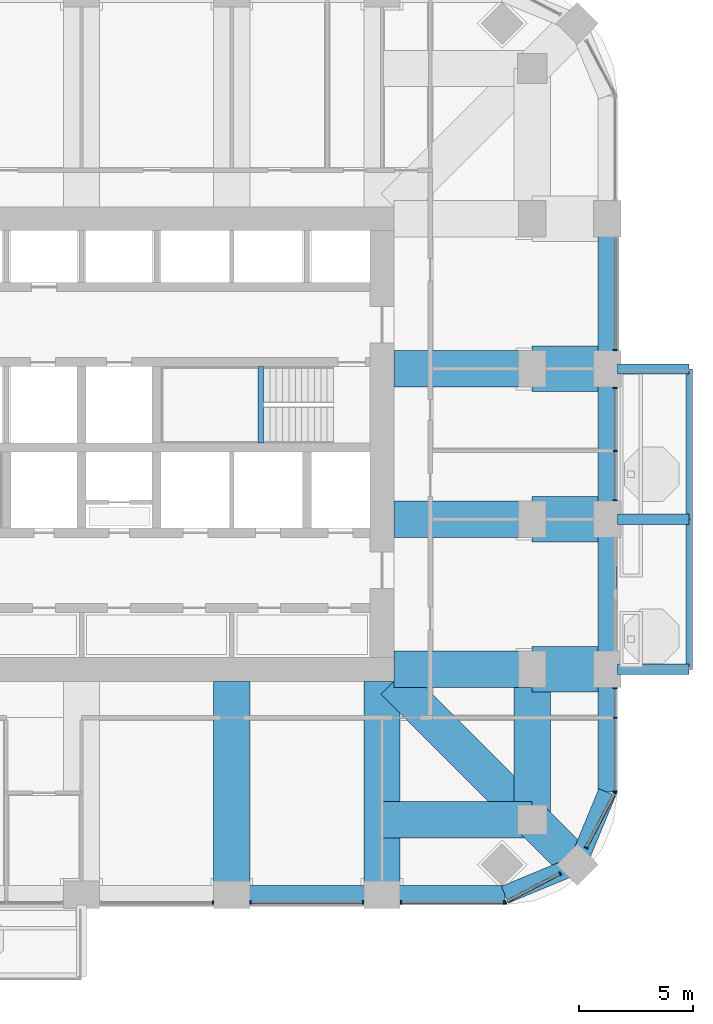
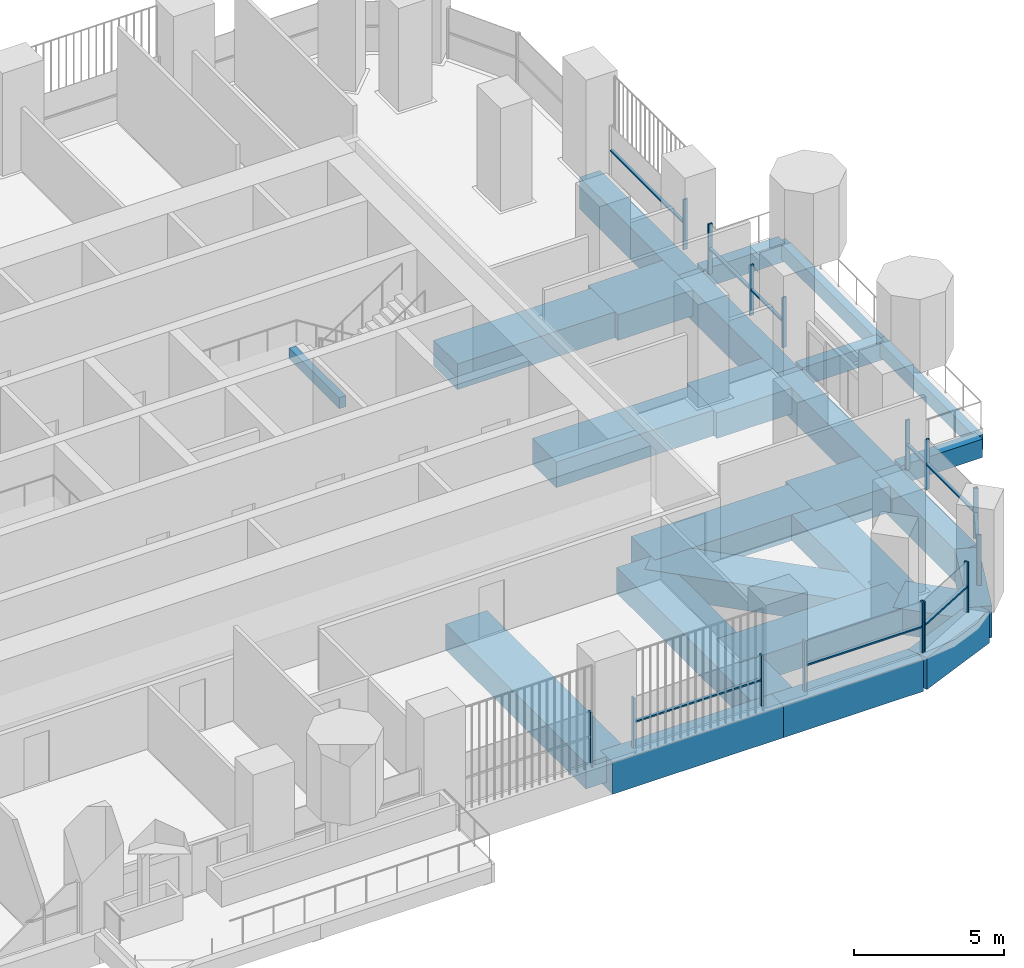
# One storey, part 5 of 20: 26 beams, 25 members, 8 elements without a shape of their own.
"""IFC4 building model written with IfcOpenShell, lengths in metres."""

from ifc_helpers import new_model, si_unit, direction, frame, origin, origin_2d, place, context, subcontext, project, spatial, rectangle, extrude, material, material_profile, profile_set, type_object, element, aggregate, save


model = new_model("IFC4")

# Units and contexts
model_context = context("Model", 3, precision=1e-05, world=origin(), true_north=direction((0.0, 1.0)))
body_context = subcontext(model_context, "Body", "Model", "MODEL_VIEW")
ifc_project = project(units=[si_unit("LENGTHUNIT", "METRE"), si_unit("AREAUNIT", "SQUARE_METRE"), si_unit("VOLUMEUNIT", "CUBIC_METRE"), si_unit("PLANEANGLEUNIT", "RADIAN"), si_unit("MASSUNIT", "GRAM", prefix="KILO")], contexts=[model_context])

# Site, building, storey
site_placement = place(None, origin())
site = spatial("IfcSite", under=ifc_project, at=site_placement, CompositionType="ELEMENT")
building_placement = place(site_placement, origin())
building = spatial("IfcBuilding", under=site, at=building_placement, Name="Cobogo Forest Laboratory Tower", CompositionType="ELEMENT")
storey_placement = place(building_placement, frame((0.0, 0.0, 218.699951171875)))
storey = spatial("IfcBuildingStorey", under=building, at=storey_placement, Name="L50", CompositionType="ELEMENT", Elevation=218.699951171875)

# Beams
ifc_material_1 = material(Name="Concrete HA-40 (C40/50)", Category="concrete")
ifc_material_profile_1 = material_profile(ifc_material_1, rectangle(XDim=0.449951171875, YDim=0.75, at=origin_2d()), Name="RC 450x750")
ifc_profile_set_1 = profile_set([ifc_material_profile_1], Name="Concrete HA-40 (C40/50)")
beam_type_1 = type_object("IfcBeamType", Name="Balcony cantilever beam 450x750", PredefinedType="BEAM", material=ifc_profile_set_1)
for number, where, z_axis, x_axis, name in (
    (1, (49.949951171875, 13.199951171875, -0.625), (1.0, 0.0, 0.0), (0.0, 1.0, 0.0), "CB1 BAL-E1-C1 L50"),
    (2, (49.949951171875, 19.800048828125, -0.625), (1.0, 0.0, 0.0), (0.0, 1.0, 0.0), "CB1 BAL-E1-C2 L50"),
    (3, (49.949951171875, 26.39990234375, -0.625), (1.0, 0.0, 0.0), (0.0, 1.0, 0.0), "CB1 BAL-E1-C3 L50"),
):
    element("IfcBeam", number, at=place(storey_placement, frame(where, z_axis=z_axis, x_axis=x_axis)), inside=storey, type_object=beam_type_1, Name=name, PredefinedType="BEAM", context=body_context, shape_type="SweptSolid", body=[
        extrude(rectangle(XDim=0.449951171875, YDim=0.75, at=origin_2d()), origin(), (0.0, 0.0, 1.0), 3.150146484375),
    ])
ifc_material_profile_2 = material_profile(ifc_material_1, rectangle(XDim=0.300048828125, YDim=0.60009765625, at=origin_2d()), Name="RC 300x600")
ifc_profile_set_2 = profile_set([ifc_material_profile_2], Name="Concrete HA-40 (C40/50)")
beam_type_2 = type_object("IfcBeamType", Name="Balcony edge beam 300x600", PredefinedType="BEAM", material=ifc_profile_set_2)
beam_1_placement = place(storey_placement, frame((53.10009765625, 13.199951171875, -0.550048828125), z_axis=(0.0, 1.0, 0.0), x_axis=(-1.0, 0.0, 0.0)))
element("IfcBeam", 4, at=beam_1_placement, inside=storey, type_object=beam_type_2, Name="BB1 BAL-E1-T1 L50", PredefinedType="BEAM", context=body_context, shape_type="SweptSolid", body=[
    extrude(rectangle(XDim=0.300048828125, YDim=0.60009765625, at=origin_2d()), origin(), (0.0, 0.0, 1.0), 6.60009765625),
])
beam_2_placement = place(storey_placement, frame((53.10009765625, 19.800048828125, -0.550048828125), z_axis=(0.0, 1.0, 0.0), x_axis=(-1.0, 0.0, 0.0)))
element("IfcBeam", 5, at=beam_2_placement, inside=storey, type_object=beam_type_2, Name="BB1 BAL-E1-T2 L50", PredefinedType="BEAM", context=body_context, shape_type="SweptSolid", body=[
    extrude(rectangle(XDim=0.300048828125, YDim=0.60009765625, at=origin_2d()), origin(), (0.0, 0.0, 1.0), 6.599853515625),
])
ifc_material_2 = material(Name="Concrete HA-50 (C50/60)", Category="concrete")
ifc_material_profile_3 = material_profile(ifc_material_2, rectangle(XDim=2.0, YDim=1.050048828125, at=origin_2d()), Name="RC 2000x1050")
ifc_profile_set_3 = profile_set([ifc_material_profile_3], Name="Concrete HA-50 (C50/60)")
beam_type_3 = type_object("IfcBeamType", Name="End-bay wide beam 2000x1050", PredefinedType="BEAM", material=ifc_profile_set_3)
for number, where, z_axis, x_axis, name in (
    (6, (49.5, 13.199951171875, -0.824951171875), (-1.0, 0.0, 0.0), (0.0, -1.0, 0.0), "RB7 R-C-E-X L50"),
    (7, (49.5, 19.800048828125, -0.824951171875), (-1.0, 0.0, 0.0), (0.0, -1.0, 0.0), "RB7 R-D-E-X L50"),
    (8, (49.5, 26.39990234375, -0.824951171875), (-1.0, 0.0, 0.0), (0.0, -1.0, 0.0), "RB7 R-E-E-X L50"),
):
    element("IfcBeam", number, at=place(storey_placement, frame(where, z_axis=z_axis, x_axis=x_axis)), inside=storey, type_object=beam_type_3, Name=name, PredefinedType="BEAM", context=body_context, shape_type="SweptSolid", body=[
        extrude(rectangle(XDim=2.0, YDim=1.050048828125, at=origin_2d()), origin(), (0.0, 0.0, 1.0), 3.300048828125),
    ])
ifc_material_profile_4 = material_profile(ifc_material_1, rectangle(XDim=0.25, YDim=0.449951171875, at=origin_2d()), Name="RC 250x450")
ifc_profile_set_4 = profile_set([ifc_material_profile_4], Name="Concrete HA-40 (C40/50)")
beam_type_4 = type_object("IfcBeamType", Name="LB1 landing beam 250x450", PredefinedType="BEAM", material=ifc_profile_set_4)
beam_3_placement = place(storey_placement, frame((34.27001953125, 23.14990234375, 1.675048828125), z_axis=(0.0, 1.0, 0.0), x_axis=(-1.0, 0.0, 0.0)))
element("IfcBeam", 9, at=beam_3_placement, inside=storey, type_object=beam_type_4, Name="Landing beam ST2 L50", PredefinedType="BEAM", context=body_context, shape_type="SweptSolid", body=[
    extrude(rectangle(XDim=0.25, YDim=0.449951171875, at=origin_2d()), origin(), (0.0, 0.0, 1.0), 3.35009765625),
])
ifc_material_profile_5 = material_profile(ifc_material_2, rectangle(XDim=1.60009765625, YDim=1.050048828125, at=origin_2d()), Name="RC 1600x1050")
ifc_profile_set_5 = profile_set([ifc_material_profile_5], Name="Concrete HA-50 (C50/60)")
beam_type_5 = type_object("IfcBeamType", Name="Laboratory floor wide beam 1600x1050", PredefinedType="BEAM", material=ifc_profile_set_5)
for number, where, z_axis, x_axis, name in (
    (10, (33.0, 12.675048828125, -0.824951171875), (0.0, -1.0, 0.0), (1.0, 0.0, 0.0), "RB8 R-6-S L50"),
    (11, (39.60009765625, 12.675048828125, -0.824951171875), (0.0, -1.0, 0.0), (1.0, 0.0, 0.0), "RB8 R-7-S L50"),
):
    element("IfcBeam", number, at=place(storey_placement, frame(where, z_axis=z_axis, x_axis=x_axis)), inside=storey, type_object=beam_type_5, Name=name, PredefinedType="BEAM", context=body_context, shape_type="SweptSolid", body=[
        extrude(rectangle(XDim=1.60009765625, YDim=1.050048828125, at=origin_2d()), origin(), (0.0, 0.0, 1.0), 9.375),
    ])
for number, where, z_axis, x_axis, name in (
    (12, (40.125, 13.199951171875, -0.824951171875), (1.0, 0.0, 0.0), (0.0, 1.0, 0.0), "RB8 R-C-E L50"),
    (13, (40.125, 19.800048828125, -0.824951171875), (1.0, 0.0, 0.0), (0.0, 1.0, 0.0), "RB8 R-D-E L50"),
    (14, (40.125, 26.39990234375, -0.824951171875), (1.0, 0.0, 0.0), (0.0, 1.0, 0.0), "RB8 R-E-E L50"),
):
    element("IfcBeam", number, at=place(storey_placement, frame(where, z_axis=z_axis, x_axis=x_axis)), inside=storey, type_object=beam_type_5, Name=name, PredefinedType="BEAM", context=body_context, shape_type="SweptSolid", body=[
        extrude(rectangle(XDim=1.60009765625, YDim=1.050048828125, at=origin_2d()), origin(), (0.0, 0.0, 1.0), 6.074951171875),
    ])
for number, where, z_axis, x_axis, name in (
    (15, (46.199951171875, 6.60009765625, -0.824951171875), (0.0, 1.0, 0.0), (-1.0, 0.0, 0.0), "RB8 G-SE-XC L50"),
    (16, (46.199951171875, 6.60009765625, -0.824951171875), (-1.0, 0.0, 0.0), (0.0, -1.0, 0.0), "RB8 G-SE-YC L50"),
):
    element("IfcBeam", number, at=place(storey_placement, frame(where, z_axis=z_axis, x_axis=x_axis)), inside=storey, type_object=beam_type_5, Name=name, PredefinedType="BEAM", context=body_context, shape_type="SweptSolid", body=[
        extrude(rectangle(XDim=1.60009765625, YDim=1.050048828125, at=origin_2d()), origin(), (0.0, 0.0, 1.0), 6.599853515625),
    ])
beam_4_placement = place(storey_placement, frame((48.181884765625, 4.617919921875, -0.824951171875), z_axis=(-0.707063230743, 0.707150328948, 0.0), x_axis=(-0.707150328948, -0.707063230743, 0.0)))
element("IfcBeam", 17, at=beam_4_placement, inside=storey, type_object=beam_type_5, Name="RB8 G-SE-D1 L50", PredefinedType="BEAM", context=body_context, shape_type="SweptSolid", body=[
    extrude(rectangle(XDim=1.60009765625, YDim=1.050048828125, at=origin_2d()), origin(), (0.0, 0.0, 1.0), 2.802978515625),
])
beam_5_placement = place(storey_placement, frame((46.199951171875, 6.60009765625, -0.824951171875), z_axis=(-0.707106781187, 0.707106781187, 0.0), x_axis=(-0.707106781187, -0.707106781187, 0.0)))
element("IfcBeam", 18, at=beam_5_placement, inside=storey, type_object=beam_type_5, Name="RB8 G-SE-D2 L50", PredefinedType="BEAM", context=body_context, shape_type="SweptSolid", body=[
    extrude(rectangle(XDim=1.60009765625, YDim=1.050048828125, at=origin_2d()), origin(), (0.0, 0.0, 1.0), 8.59130859375),
])

# Curtain wall, member
ifc_material_3 = material(Name="Aluminium curtain wall", Category="aluminium")
curtain_wall_type = type_object("IfcCurtainWallType", Name="CW-2 unitised curtain wall, solar control glazing, laboratory floors zones C and D", PredefinedType="USERDEFINED", material=ifc_material_3)
curtain_wall_1_placement = place(storey_placement, origin())
curtain_wall_1 = element("IfcCurtainWall", 19, at=curtain_wall_1_placement, inside=storey, type_object=curtain_wall_type, Name="Curtain wall 04 L50", ObjectType="UNITISED CURTAIN WALL", PredefinedType="USERDEFINED")
ifc_material_4 = material(Name="Aluminium mullion", Category="aluminium")
ifc_material_profile_6 = material_profile(ifc_material_4, rectangle(XDim=0.06005859375, YDim=0.159912109375, at=origin_2d()), Name="AL 60x160")
ifc_profile_set_6 = profile_set([ifc_material_profile_6], Name="Aluminium mullion")
member_type_1 = type_object("IfcMemberType", Name="MU-1 aluminium mullion 60x160", PredefinedType="MULLION", material=ifc_profile_set_6)
member_1_placement = place(storey_placement, frame((32.169921875, 2.949951171875, 0.0), z_axis=(0.0, 0.0, 1.0), x_axis=(1.0, 0.0, 0.0)))
member_1 = element("IfcMember", 20, at=member_1_placement, type_object=member_type_1, Name="CW-2 mullion 2", PredefinedType="MULLION", context=body_context, shape_type="SweptSolid", body=[
    extrude(rectangle(XDim=0.06005859375, YDim=0.159912109375, at=origin_2d()), origin(), (0.0, 0.0, 1.0), 2.050048828125),
])
aggregate(curtain_wall_1, [member_1])

# Curtain wall, members
curtain_wall_2_placement = place(storey_placement, origin())
curtain_wall_2 = element("IfcCurtainWall", 21, at=curtain_wall_2_placement, inside=storey, type_object=curtain_wall_type, Name="Curtain wall 05 L50", ObjectType="UNITISED CURTAIN WALL", PredefinedType="USERDEFINED")
member_2_placement = place(storey_placement, frame((33.830078125, 2.949951171875, 0.0), z_axis=(0.0, 0.0, 1.0), x_axis=(1.0, 0.0, 0.0)))
member_2 = element("IfcMember", 22, at=member_2_placement, type_object=member_type_1, Name="CW-2 mullion 1", PredefinedType="MULLION", context=body_context, shape_type="SweptSolid", body=[
    extrude(rectangle(XDim=0.06005859375, YDim=0.159912109375, at=origin_2d()), origin(), (0.0, 0.0, 1.0), 2.050048828125),
])
member_3_placement = place(storey_placement, frame((38.77001953125, 2.949951171875, 0.0), z_axis=(0.0, 0.0, 1.0), x_axis=(1.0, 0.0, 0.0)))
member_3 = element("IfcMember", 23, at=member_3_placement, type_object=member_type_1, Name="CW-2 mullion 2", PredefinedType="MULLION", context=body_context, shape_type="SweptSolid", body=[
    extrude(rectangle(XDim=0.06005859375, YDim=0.159912109375, at=origin_2d()), origin(), (0.0, 0.0, 1.0), 2.050048828125),
])

curtain_wall_3_placement = place(storey_placement, origin())
curtain_wall_3 = element("IfcCurtainWall", 24, at=curtain_wall_3_placement, inside=storey, type_object=curtain_wall_type, Name="Curtain wall 06 L50", ObjectType="UNITISED CURTAIN WALL", PredefinedType="USERDEFINED")
member_4_placement = place(storey_placement, frame((40.429931640625, 2.949951171875, 0.0), z_axis=(0.0, 0.0, 1.0), x_axis=(1.0, 0.0, 0.0)))
member_4 = element("IfcMember", 25, at=member_4_placement, type_object=member_type_1, Name="CW-2 mullion 1", PredefinedType="MULLION", context=body_context, shape_type="SweptSolid", body=[
    extrude(rectangle(XDim=0.06005859375, YDim=0.159912109375, at=origin_2d()), origin(), (0.0, 0.0, 1.0), 2.050048828125),
])
member_5_placement = place(storey_placement, frame((44.969970703125, 2.949951171875, 0.0), z_axis=(0.0, 0.0, 1.0), x_axis=(1.0, 0.0, 0.0)))
member_5 = element("IfcMember", 26, at=member_5_placement, type_object=member_type_1, Name="CW-2 mullion 2", PredefinedType="MULLION", context=body_context, shape_type="SweptSolid", body=[
    extrude(rectangle(XDim=0.06005859375, YDim=0.159912109375, at=origin_2d()), origin(), (0.0, 0.0, 1.0), 2.050048828125),
])

curtain_wall_4_placement = place(storey_placement, origin())
curtain_wall_4 = element("IfcCurtainWall", 27, at=curtain_wall_4_placement, inside=storey, type_object=curtain_wall_type, Name="Curtain wall 07 L50", ObjectType="UNITISED CURTAIN WALL", PredefinedType="USERDEFINED")
member_6_placement = place(storey_placement, frame((45.026611328125, 2.9638671875, 0.0), z_axis=(0.0, 0.0, 1.0), x_axis=(0.885686547075, 0.464283685186, 0.0)))
member_6 = element("IfcMember", 28, at=member_6_placement, type_object=member_type_1, Name="CW-2 mullion 1", PredefinedType="MULLION", context=body_context, shape_type="SweptSolid", body=[
    extrude(rectangle(XDim=0.06005859375, YDim=0.159912109375, at=origin_2d()), origin(), (0.0, 0.0, 1.0), 2.050048828125),
])
member_7_placement = place(storey_placement, frame((47.431640625, 4.224609375, 0.0), z_axis=(0.0, 0.0, 1.0), x_axis=(0.885686547075, 0.464283685186, 0.0)))
member_7 = element("IfcMember", 29, at=member_7_placement, type_object=member_type_1, Name="CW-2 mullion 2", PredefinedType="MULLION", context=body_context, shape_type="SweptSolid", body=[
    extrude(rectangle(XDim=0.06005859375, YDim=0.159912109375, at=origin_2d()), origin(), (0.0, 0.0, 1.0), 2.050048828125),
])

curtain_wall_5_placement = place(storey_placement, origin())
curtain_wall_5 = element("IfcCurtainWall", 30, at=curtain_wall_5_placement, inside=storey, type_object=curtain_wall_type, Name="Curtain wall 08 L50", ObjectType="UNITISED CURTAIN WALL", PredefinedType="USERDEFINED")
member_8_placement = place(storey_placement, frame((48.5751953125, 5.368408203125, 0.0), z_axis=(0.0, 0.0, 1.0), x_axis=(0.464283685186, 0.885686547075, 0.0)))
member_8 = element("IfcMember", 31, at=member_8_placement, type_object=member_type_1, Name="CW-2 mullion 1", PredefinedType="MULLION", context=body_context, shape_type="SweptSolid", body=[
    extrude(rectangle(XDim=0.06005859375, YDim=0.159912109375, at=origin_2d()), origin(), (0.0, 0.0, 1.0), 2.050048828125),
])
member_9_placement = place(storey_placement, frame((49.836181640625, 7.7734375, 0.0), z_axis=(0.0, 0.0, 1.0), x_axis=(0.464283685186, 0.885686547075, 0.0)))
member_9 = element("IfcMember", 32, at=member_9_placement, type_object=member_type_1, Name="CW-2 mullion 2", PredefinedType="MULLION", context=body_context, shape_type="SweptSolid", body=[
    extrude(rectangle(XDim=0.06005859375, YDim=0.159912109375, at=origin_2d()), origin(), (0.0, 0.0, 1.0), 2.050048828125),
])

curtain_wall_6_placement = place(storey_placement, origin())
curtain_wall_6 = element("IfcCurtainWall", 33, at=curtain_wall_6_placement, inside=storey, type_object=curtain_wall_type, Name="Curtain wall 09 L50", ObjectType="UNITISED CURTAIN WALL", PredefinedType="USERDEFINED")
member_10_placement = place(storey_placement, frame((49.85009765625, 7.830078125, 0.0), z_axis=(0.0, 0.0, 1.0), x_axis=(0.0, 1.0, 0.0)))
member_10 = element("IfcMember", 34, at=member_10_placement, type_object=member_type_1, Name="CW-2 mullion 1", PredefinedType="MULLION", context=body_context, shape_type="SweptSolid", body=[
    extrude(rectangle(XDim=0.06005859375, YDim=0.159912109375, at=origin_2d()), origin(), (0.0, 0.0, 1.0), 2.050048828125),
])
member_11_placement = place(storey_placement, frame((49.85009765625, 11.074951171875, 0.0), z_axis=(0.0, 0.0, 1.0), x_axis=(0.0, 1.0, 0.0)))
member_11 = element("IfcMember", 35, at=member_11_placement, type_object=member_type_1, Name="CW-2 mullion 2", PredefinedType="MULLION", context=body_context, shape_type="SweptSolid", body=[
    extrude(rectangle(XDim=0.06005859375, YDim=0.159912109375, at=origin_2d()), origin(), (0.0, 0.0, 1.0), 2.050048828125),
])
member_12_placement = place(storey_placement, frame((49.85009765625, 12.3701171875, 0.0), z_axis=(0.0, 0.0, 1.0), x_axis=(0.0, 1.0, 0.0)))
member_12 = element("IfcMember", 36, at=member_12_placement, type_object=member_type_1, Name="CW-2 mullion 3", PredefinedType="MULLION", context=body_context, shape_type="SweptSolid", body=[
    extrude(rectangle(XDim=0.06005859375, YDim=0.159912109375, at=origin_2d()), origin(), (0.0, 0.0, 1.0), 2.050048828125),
])

curtain_wall_7_placement = place(storey_placement, origin())
curtain_wall_7 = element("IfcCurtainWall", 37, at=curtain_wall_7_placement, inside=storey, type_object=curtain_wall_type, Name="Curtain wall 11 L50", ObjectType="UNITISED CURTAIN WALL", PredefinedType="USERDEFINED")
member_13_placement = place(storey_placement, frame((49.85009765625, 20.6298828125, 0.0), z_axis=(0.0, 0.0, 1.0), x_axis=(0.0, 1.0, 0.0)))
member_13 = element("IfcMember", 38, at=member_13_placement, type_object=member_type_1, Name="CW-2 mullion 1", PredefinedType="MULLION", context=body_context, shape_type="SweptSolid", body=[
    extrude(rectangle(XDim=0.06005859375, YDim=0.159912109375, at=origin_2d()), origin(), (0.0, 0.0, 1.0), 2.050048828125),
])
member_14_placement = place(storey_placement, frame((49.85009765625, 22.800048828125, 0.0), z_axis=(0.0, 0.0, 1.0), x_axis=(0.0, 1.0, 0.0)))
member_14 = element("IfcMember", 39, at=member_14_placement, type_object=member_type_1, Name="CW-2 mullion 2", PredefinedType="MULLION", context=body_context, shape_type="SweptSolid", body=[
    extrude(rectangle(XDim=0.06005859375, YDim=0.159912109375, at=origin_2d()), origin(), (0.0, 0.0, 1.0), 2.050048828125),
])
member_15_placement = place(storey_placement, frame((49.85009765625, 25.570068359375, 0.0), z_axis=(0.0, 0.0, 1.0), x_axis=(0.0, 1.0, 0.0)))
member_15 = element("IfcMember", 40, at=member_15_placement, type_object=member_type_1, Name="CW-2 mullion 3", PredefinedType="MULLION", context=body_context, shape_type="SweptSolid", body=[
    extrude(rectangle(XDim=0.06005859375, YDim=0.159912109375, at=origin_2d()), origin(), (0.0, 0.0, 1.0), 2.050048828125),
])

# Curtain wall, member
curtain_wall_8_placement = place(storey_placement, origin())
curtain_wall_8 = element("IfcCurtainWall", 41, at=curtain_wall_8_placement, inside=storey, type_object=curtain_wall_type, Name="Curtain wall 12 L50", ObjectType="UNITISED CURTAIN WALL", PredefinedType="USERDEFINED")
member_16_placement = place(storey_placement, frame((49.85009765625, 27.22998046875, 0.0), z_axis=(0.0, 0.0, 1.0), x_axis=(0.0, 1.0, 0.0)))
member_16 = element("IfcMember", 42, at=member_16_placement, type_object=member_type_1, Name="CW-2 mullion 1", PredefinedType="MULLION", context=body_context, shape_type="SweptSolid", body=[
    extrude(rectangle(XDim=0.06005859375, YDim=0.159912109375, at=origin_2d()), origin(), (0.0, 0.0, 1.0), 2.050048828125),
])

# Beams
ifc_material_profile_7 = material_profile(ifc_material_1, rectangle(XDim=0.800048828125, YDim=1.300048828125, at=origin_2d()), Name="RC 800x1300")
ifc_profile_set_7 = profile_set([ifc_material_profile_7], Name="Concrete HA-40 (C40/50)")
beam_type_6 = type_object("IfcBeamType", Name="Perimeter edge beam 800x1300", PredefinedType="BEAM", material=ifc_profile_set_7)
for number, where, z_axis, x_axis, name in (
    (43, (33.0, 3.300048828125, -0.949951171875), (1.0, 0.0, 0.0), (0.0, 1.0, 0.0), "EB2 E-S4 L50"),
    (44, (49.5, 13.199951171875, -0.949951171875), (0.0, 1.0, 0.0), (-1.0, 0.0, 0.0), "EB2 E-E1 L50"),
):
    element("IfcBeam", number, at=place(storey_placement, frame(where, z_axis=z_axis, x_axis=x_axis)), inside=storey, type_object=beam_type_6, Name=name, PredefinedType="BEAM", context=body_context, shape_type="SweptSolid", body=[
        extrude(rectangle(XDim=0.800048828125, YDim=1.300048828125, at=origin_2d()), origin(), (0.0, 0.0, 1.0), 6.60009765625),
    ])
beam_6_placement = place(storey_placement, frame((49.5, 19.800048828125, -0.949951171875), z_axis=(0.0, 1.0, 0.0), x_axis=(-1.0, 0.0, 0.0)))
element("IfcBeam", 45, at=beam_6_placement, inside=storey, type_object=beam_type_6, Name="EB2 E-E2 L50", PredefinedType="BEAM", context=body_context, shape_type="SweptSolid", body=[
    extrude(rectangle(XDim=0.800048828125, YDim=1.300048828125, at=origin_2d()), origin(), (0.0, 0.0, 1.0), 6.599853515625),
])
beam_7_placement = place(storey_placement, frame((49.5, 26.39990234375, -0.949951171875), z_axis=(0.0, 1.0, 0.0), x_axis=(-1.0, 0.0, 0.0)))
element("IfcBeam", 46, at=beam_7_placement, inside=storey, type_object=beam_type_6, Name="EB2 E-E3 L50", PredefinedType="BEAM", context=body_context, shape_type="SweptSolid", body=[
    extrude(rectangle(XDim=0.800048828125, YDim=1.300048828125, at=origin_2d()), origin(), (0.0, 0.0, 1.0), 6.60009765625),
])
beam_8_placement = place(storey_placement, frame((39.60009765625, 3.300048828125, -0.949951171875), z_axis=(1.0, 0.0, 0.0), x_axis=(0.0, 1.0, 0.0)))
element("IfcBeam", 47, at=beam_8_placement, inside=storey, type_object=beam_type_6, Name="EB2 E-SES1 L50", PredefinedType="BEAM", context=body_context, shape_type="SweptSolid", body=[
    extrude(rectangle(XDim=0.800048828125, YDim=1.300048828125, at=origin_2d()), origin(), (0.0, 0.0, 1.0), 5.39990234375),
])
beam_9_placement = place(storey_placement, frame((45.0, 3.300048828125, -0.949951171875), z_axis=(0.923890694089, 0.382656484822, 0.0), x_axis=(-0.382656484822, 0.923890694089, 0.0)))
element("IfcBeam", 48, at=beam_9_placement, inside=storey, type_object=beam_type_6, Name="EB2 E-SES2 L50", PredefinedType="BEAM", context=body_context, shape_type="SweptSolid", body=[
    extrude(rectangle(XDim=0.800048828125, YDim=1.300048828125, at=origin_2d()), origin(), (0.0, 0.0, 1.0), 3.444091796875),
])
beam_10_placement = place(storey_placement, frame((49.5, 13.199951171875, -0.949951171875), z_axis=(0.0, -1.0, 0.0), x_axis=(1.0, 0.0, 0.0)))
element("IfcBeam", 49, at=beam_10_placement, inside=storey, type_object=beam_type_6, Name="EB2 E-SEE1 L50", PredefinedType="BEAM", context=body_context, shape_type="SweptSolid", body=[
    extrude(rectangle(XDim=0.800048828125, YDim=1.300048828125, at=origin_2d()), origin(), (0.0, 0.0, 1.0), 5.39990234375),
])
beam_11_placement = place(storey_placement, frame((49.5, 7.800048828125, -0.949951171875), z_axis=(-0.382691928466, -0.923876013265, 0.0), x_axis=(0.923876013265, -0.382691928466, 0.0)))
element("IfcBeam", 50, at=beam_11_placement, inside=storey, type_object=beam_type_6, Name="EB2 E-SEE2 L50", PredefinedType="BEAM", context=body_context, shape_type="SweptSolid", body=[
    extrude(rectangle(XDim=0.800048828125, YDim=1.300048828125, at=origin_2d()), origin(), (0.0, 0.0, 1.0), 3.4443359375),
])

# Member
ifc_material_5 = material(Name="Aluminium transom", Category="aluminium")
ifc_material_profile_8 = material_profile(ifc_material_5, rectangle(XDim=0.1201171875, YDim=0.06005859375, at=origin_2d()), Name="AL 60x120")
ifc_profile_set_8 = profile_set([ifc_material_profile_8], Name="Aluminium transom")
member_type_2 = type_object("IfcMemberType", Name="TR-1 aluminium transom 60x120", PredefinedType="USERDEFINED", material=ifc_profile_set_8)
member_17_placement = place(storey_placement, frame((33.860107421875, 2.949951171875, 1.050048828125), z_axis=(1.0, 0.0, 0.0), x_axis=(0.0, 1.0, 0.0)))
member_17 = element("IfcMember", 51, at=member_17_placement, type_object=member_type_2, Name="CW-2 transom 1.1", ObjectType="TRANSOM", PredefinedType="USERDEFINED", context=body_context, shape_type="SweptSolid", body=[
    extrude(rectangle(XDim=0.1201171875, YDim=0.06005859375, at=origin_2d()), origin(), (0.0, 0.0, 1.0), 4.8798828125),
])

aggregate(curtain_wall_2, [member_2, member_3, member_17])

member_18_placement = place(storey_placement, frame((40.4599609375, 2.949951171875, 1.050048828125), z_axis=(1.0, 0.0, 0.0), x_axis=(0.0, 1.0, 0.0)))
member_18 = element("IfcMember", 52, at=member_18_placement, type_object=member_type_2, Name="CW-2 transom 1.1", ObjectType="TRANSOM", PredefinedType="USERDEFINED", context=body_context, shape_type="SweptSolid", body=[
    extrude(rectangle(XDim=0.1201171875, YDim=0.06005859375, at=origin_2d()), origin(), (0.0, 0.0, 1.0), 4.47998046875),
])

aggregate(curtain_wall_3, [member_4, member_5, member_18])

member_19_placement = place(storey_placement, frame((45.05322265625, 2.977783203125, 1.050048828125), z_axis=(0.885674922116, 0.464305860758, 0.0), x_axis=(-0.464305860758, 0.885674922116, 0.0)))
member_19 = element("IfcMember", 53, at=member_19_placement, type_object=member_type_2, Name="CW-2 transom 1.1", ObjectType="TRANSOM", PredefinedType="USERDEFINED", context=body_context, shape_type="SweptSolid", body=[
    extrude(rectangle(XDim=0.1201171875, YDim=0.06005859375, at=origin_2d()), origin(), (0.0, 0.0, 1.0), 2.6552734375),
])

aggregate(curtain_wall_4, [member_6, member_7, member_19])

member_20_placement = place(storey_placement, frame((48.589111328125, 5.394775390625, 1.050048828125), z_axis=(0.464268054753, 0.885694740493, 0.0), x_axis=(-0.885694740493, 0.464268054753, 0.0)))
member_20 = element("IfcMember", 54, at=member_20_placement, type_object=member_type_2, Name="CW-2 transom 1.1", ObjectType="TRANSOM", PredefinedType="USERDEFINED", context=body_context, shape_type="SweptSolid", body=[
    extrude(rectangle(XDim=0.1201171875, YDim=0.06005859375, at=origin_2d()), origin(), (0.0, 0.0, 1.0), 2.655517578125),
])

aggregate(curtain_wall_5, [member_8, member_9, member_20])

member_21_placement = place(storey_placement, frame((49.85009765625, 7.860107421875, 1.050048828125), z_axis=(0.0, 1.0, 0.0), x_axis=(-1.0, 0.0, 0.0)))
member_21 = element("IfcMember", 55, at=member_21_placement, type_object=member_type_2, Name="CW-2 transom 1.1", ObjectType="TRANSOM", PredefinedType="USERDEFINED", context=body_context, shape_type="SweptSolid", body=[
    extrude(rectangle(XDim=0.1201171875, YDim=0.06005859375, at=origin_2d()), origin(), (0.0, 0.0, 1.0), 3.184814453125),
])

member_22_placement = place(storey_placement, frame((49.85009765625, 11.10498046875, 1.050048828125), z_axis=(0.0, 1.0, 0.0), x_axis=(-1.0, 0.0, 0.0)))
member_22 = element("IfcMember", 56, at=member_22_placement, type_object=member_type_2, Name="CW-2 transom 2.1", ObjectType="TRANSOM", PredefinedType="USERDEFINED", context=body_context, shape_type="SweptSolid", body=[
    extrude(rectangle(XDim=0.1201171875, YDim=0.06005859375, at=origin_2d()), origin(), (0.0, 0.0, 1.0), 1.235107421875),
])

aggregate(curtain_wall_6, [member_10, member_11, member_12, member_21, member_22])

member_23_placement = place(storey_placement, frame((49.85009765625, 20.659912109375, 1.050048828125), z_axis=(0.0, 1.0, 0.0), x_axis=(-1.0, 0.0, 0.0)))
member_23 = element("IfcMember", 57, at=member_23_placement, type_object=member_type_2, Name="CW-2 transom 1.1", ObjectType="TRANSOM", PredefinedType="USERDEFINED", context=body_context, shape_type="SweptSolid", body=[
    extrude(rectangle(XDim=0.1201171875, YDim=0.06005859375, at=origin_2d()), origin(), (0.0, 0.0, 1.0), 2.110107421875),
])

member_24_placement = place(storey_placement, frame((49.85009765625, 22.830078125, 1.050048828125), z_axis=(0.0, 1.0, 0.0), x_axis=(-1.0, 0.0, 0.0)))
member_24 = element("IfcMember", 58, at=member_24_placement, type_object=member_type_2, Name="CW-2 transom 2.1", ObjectType="TRANSOM", PredefinedType="USERDEFINED", context=body_context, shape_type="SweptSolid", body=[
    extrude(rectangle(XDim=0.1201171875, YDim=0.06005859375, at=origin_2d()), origin(), (0.0, 0.0, 1.0), 2.7099609375),
])

aggregate(curtain_wall_7, [member_13, member_14, member_15, member_23, member_24])

member_25_placement = place(storey_placement, frame((49.85009765625, 27.260009765625, 1.050048828125), z_axis=(0.0, 1.0, 0.0), x_axis=(-1.0, 0.0, 0.0)))
member_25 = element("IfcMember", 59, at=member_25_placement, type_object=member_type_2, Name="CW-2 transom 1.1", ObjectType="TRANSOM", PredefinedType="USERDEFINED", context=body_context, shape_type="SweptSolid", body=[
    extrude(rectangle(XDim=0.1201171875, YDim=0.06005859375, at=origin_2d()), origin(), (0.0, 0.0, 1.0), 4.8798828125),
])

aggregate(curtain_wall_8, [member_16, member_25])

save(model, "model.ifc")
